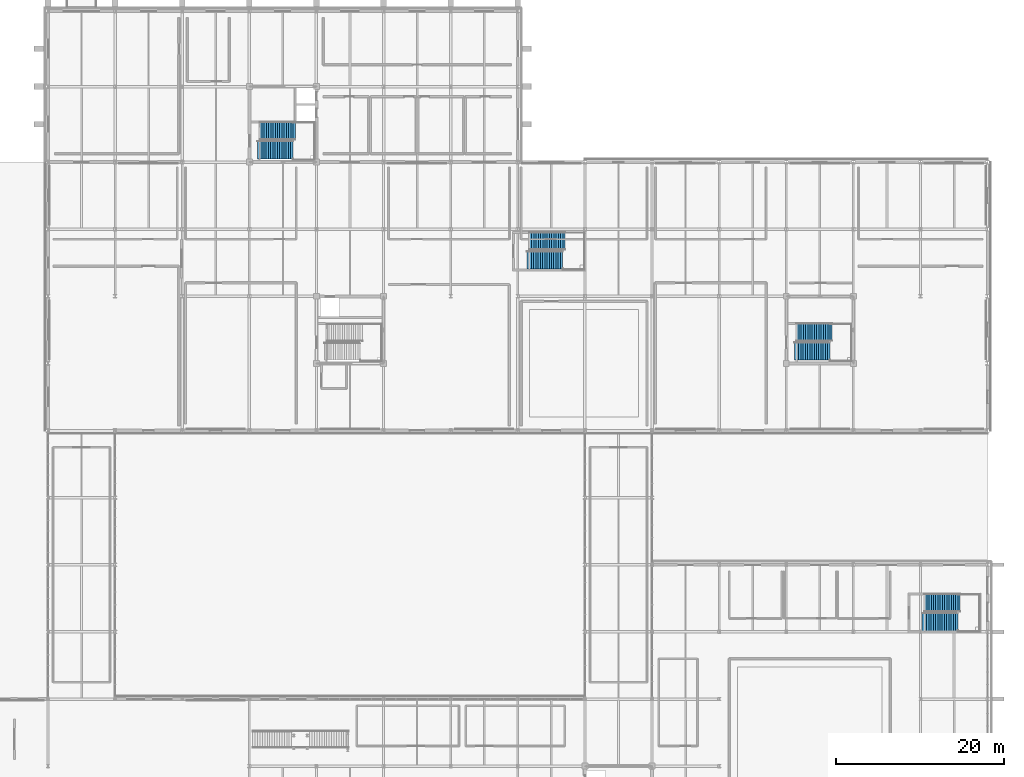
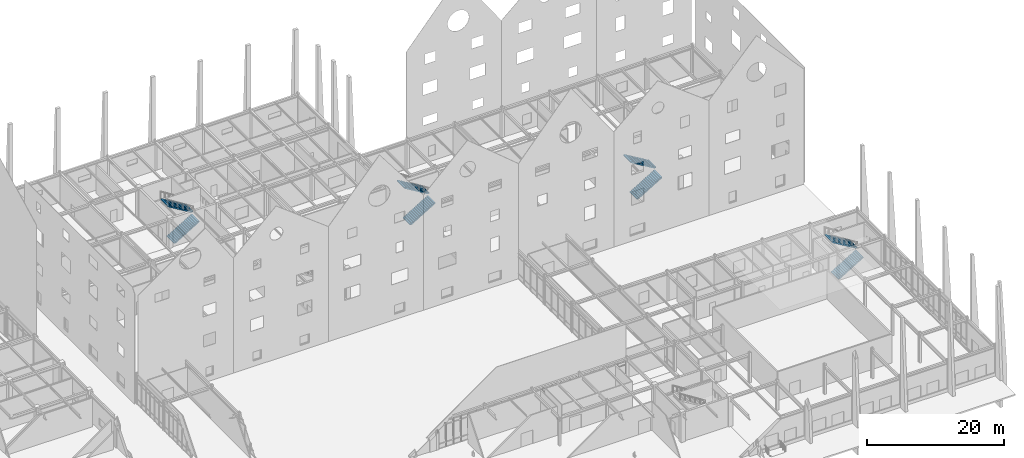
# One storey, part 100 of 119: 8 stair flights, 4 elements without a shape of their own.
"""IFC4 building model written with IfcOpenShell, lengths in metres."""

from ifc_helpers import new_model, si_unit, direction, frame, origin, place, context, subcontext, project, spatial, polyline, outline, extrude, material, type_object, element, aggregate, save


model = new_model("IFC4")

# Units and contexts
model_context = context("Model", 3, precision=1e-05, world=origin(), true_north=direction((0.0, 1.0)))
body_context = subcontext(model_context, "Body", "Model", "MODEL_VIEW")
ifc_project = project(units=[si_unit("LENGTHUNIT", "METRE"), si_unit("AREAUNIT", "SQUARE_METRE"), si_unit("VOLUMEUNIT", "CUBIC_METRE"), si_unit("PLANEANGLEUNIT", "RADIAN"), si_unit("MASSUNIT", "GRAM", prefix="KILO")], contexts=[model_context])

# Site, building, storey
site_placement = place(None, origin())
site = spatial("IfcSite", under=ifc_project, at=site_placement, CompositionType="ELEMENT")
building_placement = place(site_placement, origin())
building = spatial("IfcBuilding", under=site, at=building_placement, Name="Zhaolan Boulevard Law Courts", CompositionType="ELEMENT")
storey_placement = place(building_placement, origin())
storey = spatial("IfcBuildingStorey", under=building, at=storey_placement, Name="L00", CompositionType="ELEMENT", Elevation=0.0)

# Stair, stair flights
ifc_material_1 = material(Name="Concrete C40", Category="concrete")
stair_type_1 = type_object("IfcStairType", Name="HALF TURN STAIR 54 A", PredefinedType="HALF_TURN_STAIR", material=ifc_material_1)
stair_1_placement = place(storey_placement, origin())
stair_1 = element("IfcStair", 1, at=stair_1_placement, inside=storey, type_object=stair_type_1, Name="Stair ST13-L00", PredefinedType="HALF_TURN_STAIR")
ifc_material_2 = material(Name="Concrete C40", Category="concrete")
stair_flight_type_1 = type_object("IfcStairFlightType", Name="STAIR FLIGHT 54 A", PredefinedType="STRAIGHT", material=ifc_material_2)
stair_flight_1_placement = place(storey_placement, frame((109.10009765625, 82.344970703125, 0.0), z_axis=(0.0, 0.0, 1.0), x_axis=(1.0, 0.0, 0.0)))
stair_flight_1 = element("IfcStairFlight", 2, at=stair_flight_1_placement, type_object=stair_flight_type_1, Name="Stair Flight ST13-L00-F1", NumberOfRisers=17, NumberOfTreads=16, PredefinedType="STRAIGHT", RiserHeight=0.158823529, TreadLength=0.265, context=body_context, shape_type="SweptSolid", body=[
    extrude(outline(polyline([(0.0, 0.0), (0.0, 0.158935546875), (0.264892578125, 0.158935546875), (0.264892578125, 0.317626953125), (0.530029296875, 0.317626953125), (0.530029296875, 0.4765625), (0.794921875, 0.4765625), (0.794921875, 0.63525390625), (1.06005859375, 0.63525390625), (1.06005859375, 0.794189453125), (1.324951171875, 0.794189453125), (1.324951171875, 0.952880859375), (1.590087890625, 0.952880859375), (1.590087890625, 1.11181640625), (1.85498046875, 1.11181640625), (1.85498046875, 1.2705078125), (2.1201171875, 1.2705078125), (2.1201171875, 1.429443359375), (2.385009765625, 1.429443359375), (2.385009765625, 1.588134765625), (2.64990234375, 1.588134765625), (2.64990234375, 1.7470703125), (2.9150390625, 1.7470703125), (2.9150390625, 1.90576171875), (3.179931640625, 1.90576171875), (3.179931640625, 2.064697265625), (3.445068359375, 2.064697265625), (3.445068359375, 2.2236328125), (3.7099609375, 2.2236328125), (3.7099609375, 2.38232421875), (3.97509765625, 2.38232421875), (3.97509765625, 2.541259765625), (4.239990234375, 2.541259765625), (4.239990234375, 2.699951171875), (4.239990234375, 2.354736328125), (0.31103515625, 0.0), (0.0, 0.0)])), frame((0.0, 1.06494140625, 0.0), z_axis=(0.0, -1.0, 0.0), x_axis=(1.0, 0.0, 0.0)), (0.0, 0.0, 1.0), 2.1298828125),
])
stair_flight_2_placement = place(storey_placement, frame((113.625, 84.574951171875, 2.699951171875), z_axis=(0.0, 0.0, 1.0), x_axis=(-1.0, 0.0, 0.0)))
stair_flight_2 = element("IfcStairFlight", 3, at=stair_flight_2_placement, type_object=stair_flight_type_1, Name="Stair Flight ST13-L00-F2", NumberOfRisers=17, NumberOfTreads=16, PredefinedType="STRAIGHT", RiserHeight=0.158823529, TreadLength=0.265, context=body_context, shape_type="SweptSolid", body=[
    extrude(outline(polyline([(0.0, 0.0), (0.0, 0.158935546875), (0.264892578125, 0.158935546875), (0.264892578125, 0.317626953125), (0.530029296875, 0.317626953125), (0.530029296875, 0.4765625), (0.794921875, 0.4765625), (0.794921875, 0.63525390625), (1.06005859375, 0.63525390625), (1.06005859375, 0.794189453125), (1.324951171875, 0.794189453125), (1.324951171875, 0.952880859375), (1.590087890625, 0.952880859375), (1.590087890625, 1.11181640625), (1.85498046875, 1.11181640625), (1.85498046875, 1.2705078125), (2.1201171875, 1.2705078125), (2.1201171875, 1.429443359375), (2.385009765625, 1.429443359375), (2.385009765625, 1.588134765625), (2.64990234375, 1.588134765625), (2.64990234375, 1.7470703125), (2.9150390625, 1.7470703125), (2.9150390625, 1.90576171875), (3.179931640625, 1.90576171875), (3.179931640625, 2.064697265625), (3.445068359375, 2.064697265625), (3.445068359375, 2.2236328125), (3.7099609375, 2.2236328125), (3.7099609375, 2.38232421875), (3.97509765625, 2.38232421875), (3.97509765625, 2.541259765625), (4.239990234375, 2.541259765625), (4.239990234375, 2.699951171875), (4.239990234375, 2.354736328125), (0.31103515625, 0.0), (0.0, 0.0)])), frame((0.0, 1.06494140625, 0.0), z_axis=(0.0, -1.0, 0.0), x_axis=(1.0, 0.0, 0.0)), (0.0, 0.0, 1.0), 2.1298828125),
])
aggregate(stair_1, [stair_flight_1, stair_flight_2])

ifc_material_3 = material(Name="Concrete C40", Category="concrete")
stair_type_2 = type_object("IfcStairType", Name="HALF TURN STAIR 54 B", PredefinedType="HALF_TURN_STAIR", material=ifc_material_3)
stair_2_placement = place(storey_placement, origin())
stair_2 = element("IfcStair", 4, at=stair_2_placement, inside=storey, type_object=stair_type_2, Name="Stair ST07-L00", PredefinedType="HALF_TURN_STAIR")
ifc_material_4 = material(Name="Concrete C40", Category="concrete")
stair_flight_type_2 = type_object("IfcStairFlightType", Name="STAIR FLIGHT 54 B", PredefinedType="STRAIGHT", material=ifc_material_4)
stair_flight_3_placement = place(storey_placement, frame((156.199951171875, 39.2099609375, 0.0), z_axis=(0.0, 0.0, 1.0), x_axis=(1.0, 0.0, 0.0)))
stair_flight_3 = element("IfcStairFlight", 5, at=stair_flight_3_placement, type_object=stair_flight_type_2, Name="Stair Flight ST07-L00-F1", NumberOfRisers=17, NumberOfTreads=16, PredefinedType="STRAIGHT", RiserHeight=0.158823529, TreadLength=0.265, context=body_context, shape_type="SweptSolid", body=[
    extrude(outline(polyline([(0.0, 0.0), (0.0, 0.158935546875), (0.264892578125, 0.158935546875), (0.264892578125, 0.317626953125), (0.530029296875, 0.317626953125), (0.530029296875, 0.4765625), (0.794921875, 0.4765625), (0.794921875, 0.63525390625), (1.06005859375, 0.63525390625), (1.06005859375, 0.794189453125), (1.324951171875, 0.794189453125), (1.324951171875, 0.952880859375), (1.590087890625, 0.952880859375), (1.590087890625, 1.11181640625), (1.85498046875, 1.11181640625), (1.85498046875, 1.2705078125), (2.1201171875, 1.2705078125), (2.1201171875, 1.429443359375), (2.385009765625, 1.429443359375), (2.385009765625, 1.588134765625), (2.64990234375, 1.588134765625), (2.64990234375, 1.7470703125), (2.9150390625, 1.7470703125), (2.9150390625, 1.90576171875), (3.179931640625, 1.90576171875), (3.179931640625, 2.064697265625), (3.445068359375, 2.064697265625), (3.445068359375, 2.2236328125), (3.7099609375, 2.2236328125), (3.7099609375, 2.38232421875), (3.97509765625, 2.38232421875), (3.97509765625, 2.541259765625), (4.239990234375, 2.541259765625), (4.239990234375, 2.699951171875), (4.239990234375, 2.354736328125), (0.31103515625, 0.0), (0.0, 0.0)])), frame((0.0, 1.080078125, 0.0), z_axis=(0.0, -1.0, 0.0), x_axis=(1.0, 0.0, 0.0)), (0.0, 0.0, 1.0), 2.159912109375),
])
stair_flight_4_placement = place(storey_placement, frame((160.72509765625, 41.469970703125, 2.699951171875), z_axis=(0.0, 0.0, 1.0), x_axis=(-1.0, 0.0, 0.0)))
stair_flight_4 = element("IfcStairFlight", 6, at=stair_flight_4_placement, type_object=stair_flight_type_2, Name="Stair Flight ST07-L00-F2", NumberOfRisers=17, NumberOfTreads=16, PredefinedType="STRAIGHT", RiserHeight=0.158823529, TreadLength=0.265, context=body_context, shape_type="SweptSolid", body=[
    extrude(outline(polyline([(0.0, 0.0), (0.0, 0.158935546875), (0.264892578125, 0.158935546875), (0.264892578125, 0.317626953125), (0.530029296875, 0.317626953125), (0.530029296875, 0.4765625), (0.794921875, 0.4765625), (0.794921875, 0.63525390625), (1.06005859375, 0.63525390625), (1.06005859375, 0.794189453125), (1.324951171875, 0.794189453125), (1.324951171875, 0.952880859375), (1.590087890625, 0.952880859375), (1.590087890625, 1.11181640625), (1.85498046875, 1.11181640625), (1.85498046875, 1.2705078125), (2.1201171875, 1.2705078125), (2.1201171875, 1.429443359375), (2.385009765625, 1.429443359375), (2.385009765625, 1.588134765625), (2.64990234375, 1.588134765625), (2.64990234375, 1.7470703125), (2.9150390625, 1.7470703125), (2.9150390625, 1.90576171875), (3.179931640625, 1.90576171875), (3.179931640625, 2.064697265625), (3.445068359375, 2.064697265625), (3.445068359375, 2.2236328125), (3.7099609375, 2.2236328125), (3.7099609375, 2.38232421875), (3.97509765625, 2.38232421875), (3.97509765625, 2.541259765625), (4.239990234375, 2.541259765625), (4.239990234375, 2.699951171875), (4.239990234375, 2.354736328125), (0.31103515625, 0.0), (0.0, 0.0)])), frame((0.0, 1.080078125, 0.0), z_axis=(0.0, -1.0, 0.0), x_axis=(1.0, 0.0, 0.0)), (0.0, 0.0, 1.0), 2.159912109375),
])
aggregate(stair_2, [stair_flight_3, stair_flight_4])

stair_3_placement = place(storey_placement, origin())
stair_3 = element("IfcStair", 7, at=stair_3_placement, inside=storey, type_object=stair_type_2, Name="Stair ST09-L00", PredefinedType="HALF_TURN_STAIR")
stair_flight_5_placement = place(storey_placement, frame((140.949951171875, 71.4599609375, 0.0), z_axis=(0.0, 0.0, 1.0), x_axis=(1.0, 0.0, 0.0)))
stair_flight_5 = element("IfcStairFlight", 8, at=stair_flight_5_placement, type_object=stair_flight_type_2, Name="Stair Flight ST09-L00-F1", NumberOfRisers=17, NumberOfTreads=16, PredefinedType="STRAIGHT", RiserHeight=0.158823529, TreadLength=0.265, context=body_context, shape_type="SweptSolid", body=[
    extrude(outline(polyline([(0.0, 0.0), (0.0, 0.158935546875), (0.264892578125, 0.158935546875), (0.264892578125, 0.317626953125), (0.530029296875, 0.317626953125), (0.530029296875, 0.4765625), (0.794921875, 0.4765625), (0.794921875, 0.63525390625), (1.06005859375, 0.63525390625), (1.06005859375, 0.794189453125), (1.324951171875, 0.794189453125), (1.324951171875, 0.952880859375), (1.590087890625, 0.952880859375), (1.590087890625, 1.11181640625), (1.85498046875, 1.11181640625), (1.85498046875, 1.2705078125), (2.1201171875, 1.2705078125), (2.1201171875, 1.429443359375), (2.385009765625, 1.429443359375), (2.385009765625, 1.588134765625), (2.64990234375, 1.588134765625), (2.64990234375, 1.7470703125), (2.9150390625, 1.7470703125), (2.9150390625, 1.90576171875), (3.179931640625, 1.90576171875), (3.179931640625, 2.064697265625), (3.445068359375, 2.064697265625), (3.445068359375, 2.2236328125), (3.7099609375, 2.2236328125), (3.7099609375, 2.38232421875), (3.97509765625, 2.38232421875), (3.97509765625, 2.541259765625), (4.239990234375, 2.541259765625), (4.239990234375, 2.699951171875), (4.239990234375, 2.354736328125), (0.31103515625, 0.0), (0.0, 0.0)])), frame((0.0, 1.080078125, 0.0), z_axis=(0.0, -1.0, 0.0), x_axis=(1.0, 0.0, 0.0)), (0.0, 0.0, 1.0), 2.159912109375),
])
stair_flight_6_placement = place(storey_placement, frame((145.47509765625, 73.719970703125, 2.699951171875), z_axis=(0.0, 0.0, 1.0), x_axis=(-1.0, 0.0, 0.0)))
stair_flight_6 = element("IfcStairFlight", 9, at=stair_flight_6_placement, type_object=stair_flight_type_2, Name="Stair Flight ST09-L00-F2", NumberOfRisers=17, NumberOfTreads=16, PredefinedType="STRAIGHT", RiserHeight=0.158823529, TreadLength=0.265, context=body_context, shape_type="SweptSolid", body=[
    extrude(outline(polyline([(0.0, 0.0), (0.0, 0.158935546875), (0.264892578125, 0.158935546875), (0.264892578125, 0.317626953125), (0.530029296875, 0.317626953125), (0.530029296875, 0.4765625), (0.794921875, 0.4765625), (0.794921875, 0.63525390625), (1.06005859375, 0.63525390625), (1.06005859375, 0.794189453125), (1.324951171875, 0.794189453125), (1.324951171875, 0.952880859375), (1.590087890625, 0.952880859375), (1.590087890625, 1.11181640625), (1.85498046875, 1.11181640625), (1.85498046875, 1.2705078125), (2.1201171875, 1.2705078125), (2.1201171875, 1.429443359375), (2.385009765625, 1.429443359375), (2.385009765625, 1.588134765625), (2.64990234375, 1.588134765625), (2.64990234375, 1.7470703125), (2.9150390625, 1.7470703125), (2.9150390625, 1.90576171875), (3.179931640625, 1.90576171875), (3.179931640625, 2.064697265625), (3.445068359375, 2.064697265625), (3.445068359375, 2.2236328125), (3.7099609375, 2.2236328125), (3.7099609375, 2.38232421875), (3.97509765625, 2.38232421875), (3.97509765625, 2.541259765625), (4.239990234375, 2.541259765625), (4.239990234375, 2.699951171875), (4.239990234375, 2.354736328125), (0.31103515625, 0.0), (0.0, 0.0)])), frame((0.0, 1.080078125, 0.0), z_axis=(0.0, -1.0, 0.0), x_axis=(1.0, 0.0, 0.0)), (0.0, 0.0, 1.0), 2.159912109375),
])
aggregate(stair_3, [stair_flight_5, stair_flight_6])

stair_4_placement = place(storey_placement, origin())
stair_4 = element("IfcStair", 10, at=stair_4_placement, inside=storey, type_object=stair_type_2, Name="Stair ST11-L00", PredefinedType="HALF_TURN_STAIR")
stair_flight_7_placement = place(storey_placement, frame((76.949951171875, 95.4599609375, 0.0), z_axis=(0.0, 0.0, 1.0), x_axis=(1.0, 0.0, 0.0)))
stair_flight_7 = element("IfcStairFlight", 11, at=stair_flight_7_placement, type_object=stair_flight_type_2, Name="Stair Flight ST11-L00-F1", NumberOfRisers=17, NumberOfTreads=16, PredefinedType="STRAIGHT", RiserHeight=0.158823529, TreadLength=0.265, context=body_context, shape_type="SweptSolid", body=[
    extrude(outline(polyline([(0.0, 0.0), (0.0, 0.158935546875), (0.264892578125, 0.158935546875), (0.264892578125, 0.317626953125), (0.530029296875, 0.317626953125), (0.530029296875, 0.4765625), (0.794921875, 0.4765625), (0.794921875, 0.63525390625), (1.06005859375, 0.63525390625), (1.06005859375, 0.794189453125), (1.324951171875, 0.794189453125), (1.324951171875, 0.952880859375), (1.590087890625, 0.952880859375), (1.590087890625, 1.11181640625), (1.85498046875, 1.11181640625), (1.85498046875, 1.2705078125), (2.1201171875, 1.2705078125), (2.1201171875, 1.429443359375), (2.385009765625, 1.429443359375), (2.385009765625, 1.588134765625), (2.64990234375, 1.588134765625), (2.64990234375, 1.7470703125), (2.9150390625, 1.7470703125), (2.9150390625, 1.90576171875), (3.179931640625, 1.90576171875), (3.179931640625, 2.064697265625), (3.445068359375, 2.064697265625), (3.445068359375, 2.2236328125), (3.7099609375, 2.2236328125), (3.7099609375, 2.38232421875), (3.97509765625, 2.38232421875), (3.97509765625, 2.541259765625), (4.239990234375, 2.541259765625), (4.239990234375, 2.699951171875), (4.239990234375, 2.354736328125), (0.31103515625, 0.0), (0.0, 0.0)])), frame((0.0, 1.080078125, 0.0), z_axis=(0.0, -1.0, 0.0), x_axis=(1.0, 0.0, 0.0)), (0.0, 0.0, 1.0), 2.159912109375),
])
stair_flight_8_placement = place(storey_placement, frame((81.47509765625, 97.719970703125, 2.699951171875), z_axis=(0.0, 0.0, 1.0), x_axis=(-1.0, 0.0, 0.0)))
stair_flight_8 = element("IfcStairFlight", 12, at=stair_flight_8_placement, type_object=stair_flight_type_2, Name="Stair Flight ST11-L00-F2", NumberOfRisers=17, NumberOfTreads=16, PredefinedType="STRAIGHT", RiserHeight=0.158823529, TreadLength=0.265, context=body_context, shape_type="SweptSolid", body=[
    extrude(outline(polyline([(0.0, 0.0), (0.0, 0.158935546875), (0.264892578125, 0.158935546875), (0.264892578125, 0.317626953125), (0.530029296875, 0.317626953125), (0.530029296875, 0.4765625), (0.794921875, 0.4765625), (0.794921875, 0.63525390625), (1.06005859375, 0.63525390625), (1.06005859375, 0.794189453125), (1.324951171875, 0.794189453125), (1.324951171875, 0.952880859375), (1.590087890625, 0.952880859375), (1.590087890625, 1.11181640625), (1.85498046875, 1.11181640625), (1.85498046875, 1.2705078125), (2.1201171875, 1.2705078125), (2.1201171875, 1.429443359375), (2.385009765625, 1.429443359375), (2.385009765625, 1.588134765625), (2.64990234375, 1.588134765625), (2.64990234375, 1.7470703125), (2.9150390625, 1.7470703125), (2.9150390625, 1.90576171875), (3.179931640625, 1.90576171875), (3.179931640625, 2.064697265625), (3.445068359375, 2.064697265625), (3.445068359375, 2.2236328125), (3.7099609375, 2.2236328125), (3.7099609375, 2.38232421875), (3.97509765625, 2.38232421875), (3.97509765625, 2.541259765625), (4.239990234375, 2.541259765625), (4.239990234375, 2.699951171875), (4.239990234375, 2.354736328125), (0.31103515625, 0.0), (0.0, 0.0)])), frame((0.0, 1.080078125, 0.0), z_axis=(0.0, -1.0, 0.0), x_axis=(1.0, 0.0, 0.0)), (0.0, 0.0, 1.0), 2.159912109375),
])
aggregate(stair_4, [stair_flight_7, stair_flight_8])

save(model, "model.ifc")
